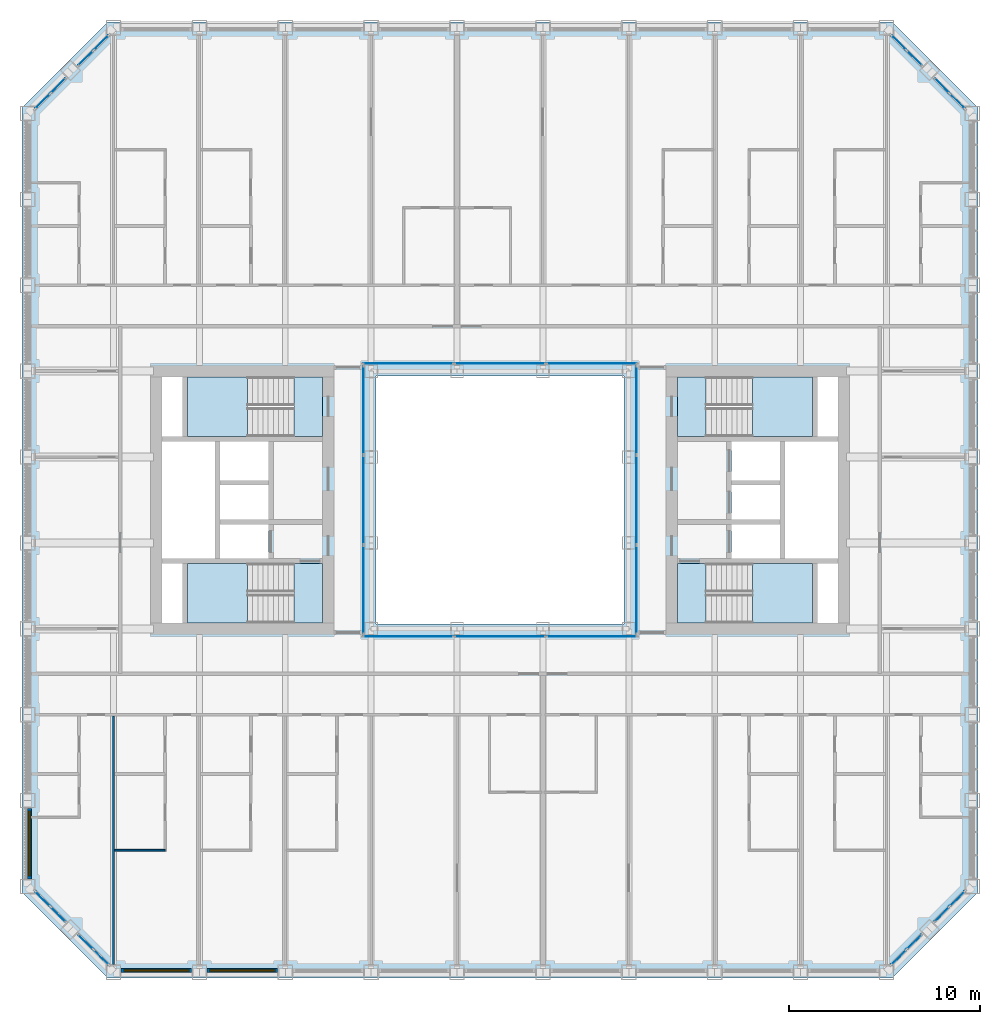
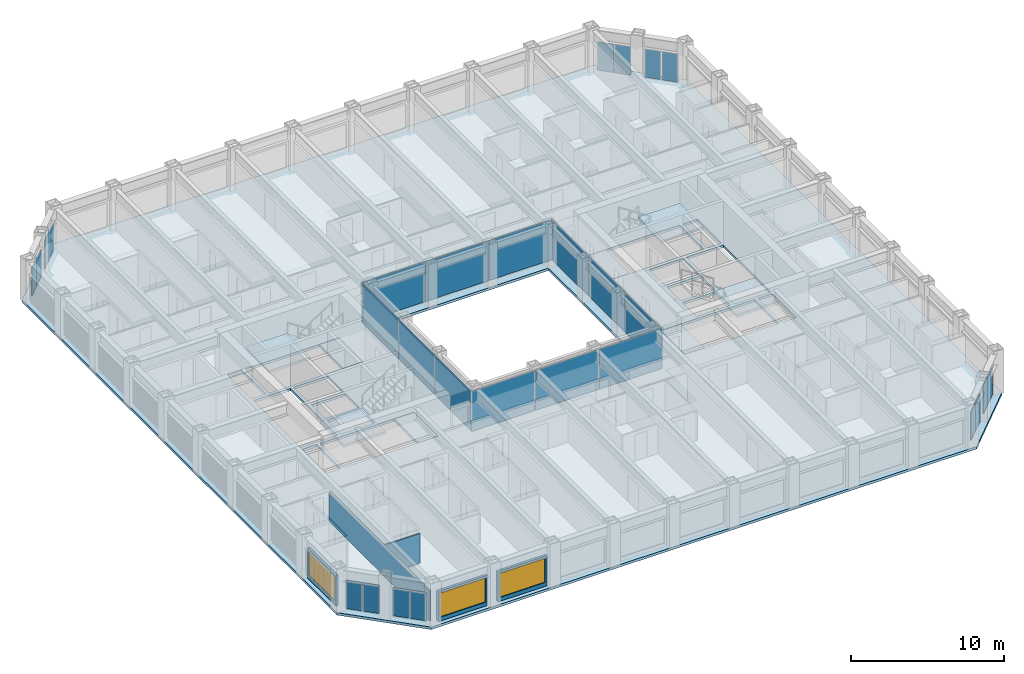
# One storey, part 8 of 21: 28 plates, 9 slabs, 5 walls, 3 windows, 3 openings, 16 elements without a shape of their own.
"""IFC4 building model written with IfcOpenShell, lengths in metres."""

from ifc_helpers import new_model, si_unit, direction, frame, frame_2d, origin, origin_2d, place, context, subcontext, project, spatial, polyline, rectangle, outline, extrude, material, layer, layer_set, type_object, element, fill, aggregate, save


model = new_model("IFC4")

# Units and contexts
model_context = context("Model", 3, precision=1e-05, world=origin(), true_north=direction((0.0, 1.0)))
body_context = subcontext(model_context, "Body", "Model", "MODEL_VIEW")
ifc_project = project(units=[si_unit("LENGTHUNIT", "METRE"), si_unit("AREAUNIT", "SQUARE_METRE"), si_unit("VOLUMEUNIT", "CUBIC_METRE"), si_unit("PLANEANGLEUNIT", "RADIAN"), si_unit("MASSUNIT", "GRAM", prefix="KILO")], contexts=[model_context])

# Site, building, storey
site_placement = place(None, origin())
site = spatial("IfcSite", under=ifc_project, at=site_placement, CompositionType="ELEMENT")
building_placement = place(site_placement, origin())
building = spatial("IfcBuilding", under=site, at=building_placement, Name="Msasa Ring Tower", CompositionType="ELEMENT")
storey_placement = place(building_placement, frame((0.0, 0.0, 86.0)))
storey = spatial("IfcBuildingStorey", under=building, at=storey_placement, Name="L22", CompositionType="ELEMENT", Elevation=86.0)

# Curtain wall, plates
ifc_material_1 = material(Name="Aluminium curtain wall with clear glass", Category="aluminium")
curtain_wall_type_1 = type_object("IfcCurtainWallType", Name="CW-C CHAMFER CORNER CURTAIN WALL", PredefinedType="NOTDEFINED", material=ifc_material_1)
curtain_wall_1_placement = place(storey_placement, origin())
curtain_wall_1 = element("IfcCurtainWall", 1, at=curtain_wall_1_placement, inside=storey, type_object=curtain_wall_type_1, Name="Chamfer corner curtain wall SE L22", PredefinedType="NOTDEFINED")
ifc_material_2 = material(Name="Clear laminated insulating glass unit", Category="glass")
ifc_layer_1 = layer(ifc_material_2, 0.031982421875)
ifc_layer_set_1 = layer_set([ifc_layer_1], Name="CW-C GLASS PANEL 32")
plate_type_1 = type_object("IfcPlateType", Name="CW-C GLASS PANEL 32", PredefinedType="CURTAIN_PANEL", material=ifc_layer_set_1)
plate_1_placement = place(storey_placement, frame((20.896484375, -23.962158203125, 0.06494140625), z_axis=(0.0, 0.0, 1.0), x_axis=(0.707106781187, 0.707106781187, 0.0)))
plate_1 = element("IfcPlate", 2, at=plate_1_placement, type_object=plate_type_1, Name="CW-C panel 1.1", PredefinedType="CURTAIN_PANEL", context=body_context, shape_type="SweptSolid", body=[
    extrude(rectangle(XDim=1.08837890625, YDim=0.031982421875, at=origin_2d()), origin(), (0.0, 0.0, 1.0), 2.2490234375),
])
plate_2_placement = place(storey_placement, frame((21.712158203125, -23.146484375, 0.06494140625), z_axis=(0.0, 0.0, 1.0), x_axis=(0.707106781187, 0.707106781187, 0.0)))
plate_2 = element("IfcPlate", 3, at=plate_2_placement, type_object=plate_type_1, Name="CW-C panel 2.1", PredefinedType="CURTAIN_PANEL", context=body_context, shape_type="SweptSolid", body=[
    extrude(rectangle(XDim=1.08837890625, YDim=0.031982421875, at=origin_2d()), origin(), (0.0, 0.0, 1.0), 2.2490234375),
])
aggregate(curtain_wall_1, [plate_1, plate_2])

curtain_wall_2_placement = place(storey_placement, origin())
curtain_wall_2 = element("IfcCurtainWall", 4, at=curtain_wall_2_placement, inside=storey, type_object=curtain_wall_type_1, Name="Chamfer corner curtain wall SE L22", PredefinedType="NOTDEFINED")
plate_3_placement = place(storey_placement, frame((23.146484375, -21.712158203125, 0.06494140625), z_axis=(0.0, 0.0, 1.0), x_axis=(0.707106781187, 0.707106781187, 0.0)))
plate_3 = element("IfcPlate", 5, at=plate_3_placement, type_object=plate_type_1, Name="CW-C panel 1.1", PredefinedType="CURTAIN_PANEL", context=body_context, shape_type="SweptSolid", body=[
    extrude(rectangle(XDim=1.08837890625, YDim=0.031982421875, at=origin_2d()), origin(), (0.0, 0.0, 1.0), 2.2490234375),
])
plate_4_placement = place(storey_placement, frame((23.962158203125, -20.896484375, 0.06494140625), z_axis=(0.0, 0.0, 1.0), x_axis=(0.707106781187, 0.707106781187, 0.0)))
plate_4 = element("IfcPlate", 6, at=plate_4_placement, type_object=plate_type_1, Name="CW-C panel 2.1", PredefinedType="CURTAIN_PANEL", context=body_context, shape_type="SweptSolid", body=[
    extrude(rectangle(XDim=1.08837890625, YDim=0.031982421875, at=origin_2d()), origin(), (0.0, 0.0, 1.0), 2.2490234375),
])
aggregate(curtain_wall_2, [plate_3, plate_4])

curtain_wall_3_placement = place(storey_placement, origin())
curtain_wall_3 = element("IfcCurtainWall", 7, at=curtain_wall_3_placement, inside=storey, type_object=curtain_wall_type_1, Name="Chamfer corner curtain wall NE L22", PredefinedType="NOTDEFINED")
plate_5_placement = place(storey_placement, frame((21.712158203125, 23.146484375, 0.06494140625), z_axis=(0.0, 0.0, 1.0), x_axis=(-0.707106781187, 0.707106781187, 0.0)))
plate_5 = element("IfcPlate", 8, at=plate_5_placement, type_object=plate_type_1, Name="CW-C panel 1.1", PredefinedType="CURTAIN_PANEL", context=body_context, shape_type="SweptSolid", body=[
    extrude(rectangle(XDim=1.08837890625, YDim=0.031982421875, at=origin_2d()), origin(), (0.0, 0.0, 1.0), 2.2490234375),
])
plate_6_placement = place(storey_placement, frame((20.896484375, 23.962158203125, 0.06494140625), z_axis=(0.0, 0.0, 1.0), x_axis=(-0.707106781187, 0.707106781187, 0.0)))
plate_6 = element("IfcPlate", 9, at=plate_6_placement, type_object=plate_type_1, Name="CW-C panel 2.1", PredefinedType="CURTAIN_PANEL", context=body_context, shape_type="SweptSolid", body=[
    extrude(rectangle(XDim=1.08837890625, YDim=0.031982421875, at=origin_2d()), origin(), (0.0, 0.0, 1.0), 2.2490234375),
])
aggregate(curtain_wall_3, [plate_5, plate_6])

curtain_wall_4_placement = place(storey_placement, origin())
curtain_wall_4 = element("IfcCurtainWall", 10, at=curtain_wall_4_placement, inside=storey, type_object=curtain_wall_type_1, Name="Chamfer corner curtain wall NE L22", PredefinedType="NOTDEFINED")
plate_7_placement = place(storey_placement, frame((23.962158203125, 20.896484375, 0.06494140625), z_axis=(0.0, 0.0, 1.0), x_axis=(-0.707106781187, 0.707106781187, 0.0)))
plate_7 = element("IfcPlate", 11, at=plate_7_placement, type_object=plate_type_1, Name="CW-C panel 1.1", PredefinedType="CURTAIN_PANEL", context=body_context, shape_type="SweptSolid", body=[
    extrude(rectangle(XDim=1.08837890625, YDim=0.031982421875, at=origin_2d()), origin(), (0.0, 0.0, 1.0), 2.2490234375),
])
plate_8_placement = place(storey_placement, frame((23.146484375, 21.712158203125, 0.06494140625), z_axis=(0.0, 0.0, 1.0), x_axis=(-0.707106781187, 0.707106781187, 0.0)))
plate_8 = element("IfcPlate", 12, at=plate_8_placement, type_object=plate_type_1, Name="CW-C panel 2.1", PredefinedType="CURTAIN_PANEL", context=body_context, shape_type="SweptSolid", body=[
    extrude(rectangle(XDim=1.08837890625, YDim=0.031982421875, at=origin_2d()), origin(), (0.0, 0.0, 1.0), 2.2490234375),
])
aggregate(curtain_wall_4, [plate_7, plate_8])

curtain_wall_5_placement = place(storey_placement, origin())
curtain_wall_5 = element("IfcCurtainWall", 13, at=curtain_wall_5_placement, inside=storey, type_object=curtain_wall_type_1, Name="Chamfer corner curtain wall NW L22", PredefinedType="NOTDEFINED")
plate_9_placement = place(storey_placement, frame((-23.146484375, 21.712158203125, 0.06494140625), z_axis=(0.0, 0.0, 1.0), x_axis=(-0.707106781187, -0.707106781187, 0.0)))
plate_9 = element("IfcPlate", 14, at=plate_9_placement, type_object=plate_type_1, Name="CW-C panel 1.1", PredefinedType="CURTAIN_PANEL", context=body_context, shape_type="SweptSolid", body=[
    extrude(rectangle(XDim=1.08837890625, YDim=0.031982421875, at=origin_2d()), origin(), (0.0, 0.0, 1.0), 2.2490234375),
])
plate_10_placement = place(storey_placement, frame((-23.962158203125, 20.896484375, 0.06494140625), z_axis=(0.0, 0.0, 1.0), x_axis=(-0.707106781187, -0.707106781187, 0.0)))
plate_10 = element("IfcPlate", 15, at=plate_10_placement, type_object=plate_type_1, Name="CW-C panel 2.1", PredefinedType="CURTAIN_PANEL", context=body_context, shape_type="SweptSolid", body=[
    extrude(rectangle(XDim=1.08837890625, YDim=0.031982421875, at=origin_2d()), origin(), (0.0, 0.0, 1.0), 2.2490234375),
])
aggregate(curtain_wall_5, [plate_9, plate_10])

curtain_wall_6_placement = place(storey_placement, origin())
curtain_wall_6 = element("IfcCurtainWall", 16, at=curtain_wall_6_placement, inside=storey, type_object=curtain_wall_type_1, Name="Chamfer corner curtain wall NW L22", PredefinedType="NOTDEFINED")
plate_11_placement = place(storey_placement, frame((-20.896484375, 23.962158203125, 0.06494140625), z_axis=(0.0, 0.0, 1.0), x_axis=(-0.707106781187, -0.707106781187, 0.0)))
plate_11 = element("IfcPlate", 17, at=plate_11_placement, type_object=plate_type_1, Name="CW-C panel 1.1", PredefinedType="CURTAIN_PANEL", context=body_context, shape_type="SweptSolid", body=[
    extrude(rectangle(XDim=1.08837890625, YDim=0.031982421875, at=origin_2d()), origin(), (0.0, 0.0, 1.0), 2.2490234375),
])
plate_12_placement = place(storey_placement, frame((-21.712158203125, 23.146484375, 0.06494140625), z_axis=(0.0, 0.0, 1.0), x_axis=(-0.707106781187, -0.707106781187, 0.0)))
plate_12 = element("IfcPlate", 18, at=plate_12_placement, type_object=plate_type_1, Name="CW-C panel 2.1", PredefinedType="CURTAIN_PANEL", context=body_context, shape_type="SweptSolid", body=[
    extrude(rectangle(XDim=1.08837890625, YDim=0.031982421875, at=origin_2d()), origin(), (0.0, 0.0, 1.0), 2.2490234375),
])
aggregate(curtain_wall_6, [plate_11, plate_12])

curtain_wall_7_placement = place(storey_placement, origin())
curtain_wall_7 = element("IfcCurtainWall", 19, at=curtain_wall_7_placement, inside=storey, type_object=curtain_wall_type_1, Name="Chamfer corner curtain wall SW L22", PredefinedType="NOTDEFINED")
plate_13_placement = place(storey_placement, frame((-23.962158203125, -20.896484375, 0.06494140625), z_axis=(0.0, 0.0, 1.0), x_axis=(0.707106781187, -0.707106781187, 0.0)))
plate_13 = element("IfcPlate", 20, at=plate_13_placement, type_object=plate_type_1, Name="CW-C panel 1.1", PredefinedType="CURTAIN_PANEL", context=body_context, shape_type="SweptSolid", body=[
    extrude(rectangle(XDim=1.08837890625, YDim=0.031982421875, at=origin_2d()), origin(), (0.0, 0.0, 1.0), 2.2490234375),
])
plate_14_placement = place(storey_placement, frame((-23.146484375, -21.712158203125, 0.06494140625), z_axis=(0.0, 0.0, 1.0), x_axis=(0.707106781187, -0.707106781187, 0.0)))
plate_14 = element("IfcPlate", 21, at=plate_14_placement, type_object=plate_type_1, Name="CW-C panel 2.1", PredefinedType="CURTAIN_PANEL", context=body_context, shape_type="SweptSolid", body=[
    extrude(rectangle(XDim=1.08837890625, YDim=0.031982421875, at=origin_2d()), origin(), (0.0, 0.0, 1.0), 2.2490234375),
])
aggregate(curtain_wall_7, [plate_13, plate_14])

curtain_wall_8_placement = place(storey_placement, origin())
curtain_wall_8 = element("IfcCurtainWall", 22, at=curtain_wall_8_placement, inside=storey, type_object=curtain_wall_type_1, Name="Chamfer corner curtain wall SW L22", PredefinedType="NOTDEFINED")
plate_15_placement = place(storey_placement, frame((-21.712158203125, -23.146484375, 0.06494140625), z_axis=(0.0, 0.0, 1.0), x_axis=(0.707106781187, -0.707106781187, 0.0)))
plate_15 = element("IfcPlate", 23, at=plate_15_placement, type_object=plate_type_1, Name="CW-C panel 1.1", PredefinedType="CURTAIN_PANEL", context=body_context, shape_type="SweptSolid", body=[
    extrude(rectangle(XDim=1.08837890625, YDim=0.031982421875, at=origin_2d()), origin(), (0.0, 0.0, 1.0), 2.2490234375),
])
plate_16_placement = place(storey_placement, frame((-20.896484375, -23.962158203125, 0.06494140625), z_axis=(0.0, 0.0, 1.0), x_axis=(0.707106781187, -0.707106781187, 0.0)))
plate_16 = element("IfcPlate", 24, at=plate_16_placement, type_object=plate_type_1, Name="CW-C panel 2.1", PredefinedType="CURTAIN_PANEL", context=body_context, shape_type="SweptSolid", body=[
    extrude(rectangle(XDim=1.08837890625, YDim=0.031982421875, at=origin_2d()), origin(), (0.0, 0.0, 1.0), 2.2490234375),
])
aggregate(curtain_wall_8, [plate_15, plate_16])

ifc_material_3 = material(Name="Aluminium curtain wall with clear glass", Category="aluminium")
curtain_wall_type_2 = type_object("IfcCurtainWallType", Name="CW-W LIGHT WELL CURTAIN WALL", PredefinedType="NOTDEFINED", material=ifc_material_3)
curtain_wall_9_placement = place(storey_placement, origin())
curtain_wall_9 = element("IfcCurtainWall", 25, at=curtain_wall_9_placement, inside=storey, type_object=curtain_wall_type_2, Name="Light well curtain wall N L22", PredefinedType="NOTDEFINED")
ifc_material_4 = material(Name="Clear laminated insulating glass unit", Category="glass")
ifc_layer_2 = layer(ifc_material_4, 0.028076171875)
ifc_layer_set_2 = layer_set([ifc_layer_2], Name="CW-W GLASS PANEL 28")
plate_type_2 = type_object("IfcPlateType", Name="CW-W GLASS PANEL 28", PredefinedType="CURTAIN_PANEL", material=ifc_layer_set_2)
plate_17_placement = place(storey_placement, frame((-4.804931640625, 7.14990234375, 0.06005859375), z_axis=(0.0, 0.0, 1.0), x_axis=(1.0, 0.0, 0.0)))
plate_17 = element("IfcPlate", 26, at=plate_17_placement, type_object=plate_type_2, Name="CW-W panel 1.1", PredefinedType="CURTAIN_PANEL", context=body_context, shape_type="SweptSolid", body=[
    extrude(rectangle(XDim=4.72998046875, YDim=0.028076171875, at=origin_2d()), origin(), (0.0, 0.0, 1.0), 3.179931640625),
])
plate_18_placement = place(storey_placement, frame((0.0, 7.14990234375, 0.06005859375), z_axis=(0.0, 0.0, 1.0), x_axis=(1.0, 0.0, 0.0)))
plate_18 = element("IfcPlate", 27, at=plate_18_placement, type_object=plate_type_2, Name="CW-W panel 2.1", PredefinedType="CURTAIN_PANEL", context=body_context, shape_type="SweptSolid", body=[
    extrude(rectangle(XDim=4.760009765625, YDim=0.028076171875, at=origin_2d()), origin(), (0.0, 0.0, 1.0), 3.179931640625),
])
plate_19_placement = place(storey_placement, frame((4.804931640625, 7.14990234375, 0.06005859375), z_axis=(0.0, 0.0, 1.0), x_axis=(1.0, 0.0, 0.0)))
plate_19 = element("IfcPlate", 28, at=plate_19_placement, type_object=plate_type_2, Name="CW-W panel 3.1", PredefinedType="CURTAIN_PANEL", context=body_context, shape_type="SweptSolid", body=[
    extrude(rectangle(XDim=4.72998046875, YDim=0.028076171875, at=origin_2d()), origin(), (0.0, 0.0, 1.0), 3.179931640625),
])
aggregate(curtain_wall_9, [plate_17, plate_18, plate_19])

curtain_wall_10_placement = place(storey_placement, origin())
curtain_wall_10 = element("IfcCurtainWall", 29, at=curtain_wall_10_placement, inside=storey, type_object=curtain_wall_type_2, Name="Light well curtain wall S L22", PredefinedType="NOTDEFINED")
plate_20_placement = place(storey_placement, frame((-4.804931640625, -7.14990234375, 0.06005859375), z_axis=(0.0, 0.0, 1.0), x_axis=(1.0, 0.0, 0.0)))
plate_20 = element("IfcPlate", 30, at=plate_20_placement, type_object=plate_type_2, Name="CW-W panel 1.1", PredefinedType="CURTAIN_PANEL", context=body_context, shape_type="SweptSolid", body=[
    extrude(rectangle(XDim=4.72998046875, YDim=0.028076171875, at=origin_2d()), origin(), (0.0, 0.0, 1.0), 3.179931640625),
])
plate_21_placement = place(storey_placement, frame((0.0, -7.14990234375, 0.06005859375), z_axis=(0.0, 0.0, 1.0), x_axis=(1.0, 0.0, 0.0)))
plate_21 = element("IfcPlate", 31, at=plate_21_placement, type_object=plate_type_2, Name="CW-W panel 2.1", PredefinedType="CURTAIN_PANEL", context=body_context, shape_type="SweptSolid", body=[
    extrude(rectangle(XDim=4.760009765625, YDim=0.028076171875, at=origin_2d()), origin(), (0.0, 0.0, 1.0), 3.179931640625),
])
plate_22_placement = place(storey_placement, frame((4.804931640625, -7.14990234375, 0.06005859375), z_axis=(0.0, 0.0, 1.0), x_axis=(1.0, 0.0, 0.0)))
plate_22 = element("IfcPlate", 32, at=plate_22_placement, type_object=plate_type_2, Name="CW-W panel 3.1", PredefinedType="CURTAIN_PANEL", context=body_context, shape_type="SweptSolid", body=[
    extrude(rectangle(XDim=4.72998046875, YDim=0.028076171875, at=origin_2d()), origin(), (0.0, 0.0, 1.0), 3.179931640625),
])
aggregate(curtain_wall_10, [plate_20, plate_21, plate_22])

curtain_wall_11_placement = place(storey_placement, origin())
curtain_wall_11 = element("IfcCurtainWall", 33, at=curtain_wall_11_placement, inside=storey, type_object=curtain_wall_type_2, Name="Light well curtain wall E L22", PredefinedType="NOTDEFINED")
plate_23_placement = place(storey_placement, frame((7.14990234375, -4.6982421875, 0.06005859375), z_axis=(0.0, 0.0, 1.0), x_axis=(0.0, 1.0, 0.0)))
plate_23 = element("IfcPlate", 34, at=plate_23_placement, type_object=plate_type_2, Name="CW-W panel 1.1", PredefinedType="CURTAIN_PANEL", context=body_context, shape_type="SweptSolid", body=[
    extrude(rectangle(XDim=4.623291015625, YDim=0.028076171875, at=origin_2d()), origin(), (0.0, 0.0, 1.0), 3.179931640625),
])
plate_24_placement = place(storey_placement, frame((7.14990234375, 0.0, 0.06005859375), z_axis=(0.0, 0.0, 1.0), x_axis=(0.0, 1.0, 0.0)))
plate_24 = element("IfcPlate", 35, at=plate_24_placement, type_object=plate_type_2, Name="CW-W panel 2.1", PredefinedType="CURTAIN_PANEL", context=body_context, shape_type="SweptSolid", body=[
    extrude(rectangle(XDim=4.6533203125, YDim=0.028076171875, at=origin_2d()), origin(), (0.0, 0.0, 1.0), 3.179931640625),
])
plate_25_placement = place(storey_placement, frame((7.14990234375, 4.6982421875, 0.06005859375), z_axis=(0.0, 0.0, 1.0), x_axis=(0.0, 1.0, 0.0)))
plate_25 = element("IfcPlate", 36, at=plate_25_placement, type_object=plate_type_2, Name="CW-W panel 3.1", PredefinedType="CURTAIN_PANEL", context=body_context, shape_type="SweptSolid", body=[
    extrude(rectangle(XDim=4.623291015625, YDim=0.028076171875, at=origin_2d()), origin(), (0.0, 0.0, 1.0), 3.179931640625),
])
aggregate(curtain_wall_11, [plate_23, plate_24, plate_25])

curtain_wall_12_placement = place(storey_placement, origin())
curtain_wall_12 = element("IfcCurtainWall", 37, at=curtain_wall_12_placement, inside=storey, type_object=curtain_wall_type_2, Name="Light well curtain wall W L22", PredefinedType="NOTDEFINED")
plate_26_placement = place(storey_placement, frame((-7.14990234375, -4.6982421875, 0.06005859375), z_axis=(0.0, 0.0, 1.0), x_axis=(0.0, 1.0, 0.0)))
plate_26 = element("IfcPlate", 38, at=plate_26_placement, type_object=plate_type_2, Name="CW-W panel 1.1", PredefinedType="CURTAIN_PANEL", context=body_context, shape_type="SweptSolid", body=[
    extrude(rectangle(XDim=4.623291015625, YDim=0.028076171875, at=origin_2d()), origin(), (0.0, 0.0, 1.0), 3.179931640625),
])
plate_27_placement = place(storey_placement, frame((-7.14990234375, 0.0, 0.06005859375), z_axis=(0.0, 0.0, 1.0), x_axis=(0.0, 1.0, 0.0)))
plate_27 = element("IfcPlate", 39, at=plate_27_placement, type_object=plate_type_2, Name="CW-W panel 2.1", PredefinedType="CURTAIN_PANEL", context=body_context, shape_type="SweptSolid", body=[
    extrude(rectangle(XDim=4.6533203125, YDim=0.028076171875, at=origin_2d()), origin(), (0.0, 0.0, 1.0), 3.179931640625),
])
plate_28_placement = place(storey_placement, frame((-7.14990234375, 4.6982421875, 0.06005859375), z_axis=(0.0, 0.0, 1.0), x_axis=(0.0, 1.0, 0.0)))
plate_28 = element("IfcPlate", 40, at=plate_28_placement, type_object=plate_type_2, Name="CW-W panel 3.1", PredefinedType="CURTAIN_PANEL", context=body_context, shape_type="SweptSolid", body=[
    extrude(rectangle(XDim=4.623291015625, YDim=0.028076171875, at=origin_2d()), origin(), (0.0, 0.0, 1.0), 3.179931640625),
])
aggregate(curtain_wall_12, [plate_26, plate_27, plate_28])

# Stair, slabs
ifc_material_5 = material(Name="Concrete C40/50", Category="concrete")
stair_type = type_object("IfcStairType", Name="STC CORE STAIR 20 RISERS 175", PredefinedType="HALF_TURN_STAIR", material=ifc_material_5)
stair_1_placement = place(storey_placement, origin())
stair_1 = element("IfcStair", 41, at=stair_1_placement, inside=storey, type_object=stair_type, Name="Core stair SEA L22", PredefinedType="HALF_TURN_STAIR")
ifc_material_6 = material(Name="Concrete C40/50", Category="concrete")
ifc_layer_3 = layer(ifc_material_6, 0.199951171875)
ifc_layer_set_3 = layer_set([ifc_layer_3], Name="LD1 CORE STAIR LANDING 200")
slab_type_1 = type_object("IfcSlabType", Name="LD1 CORE STAIR LANDING 200", PredefinedType="LANDING", material=ifc_layer_set_3)
slab_1_placement = place(storey_placement, frame((0.0, 0.0, -0.199951171875)))
slab_1 = element("IfcSlab", 42, at=slab_1_placement, type_object=slab_type_1, Name="SEA landing 1", PredefinedType="LANDING", context=body_context, shape_type="SweptSolid", body=[
    extrude(outline(polyline([(9.300048828125, -6.449951171875), (10.800048828125, -6.449951171875), (10.800048828125, -3.324951171875), (9.300048828125, -3.324951171875), (9.300048828125, -6.449951171875)])), origin(), (0.0, 0.0, 1.0), 0.199951171875),
])
slab_2_placement = place(storey_placement, frame((0.0, 0.0, 1.550048828125)))
slab_2 = element("IfcSlab", 43, at=slab_2_placement, type_object=slab_type_1, Name="SEA landing 2", PredefinedType="LANDING", context=body_context, shape_type="SweptSolid", body=[
    extrude(outline(polyline([(13.22998046875, -6.449951171875), (16.375, -6.449951171875), (16.375, -3.324951171875), (13.22998046875, -3.324951171875), (13.22998046875, -6.449951171875)])), origin(), (0.0, 0.0, 1.0), 0.199951171875),
])
aggregate(stair_1, [slab_1, slab_2])

stair_2_placement = place(storey_placement, origin())
stair_2 = element("IfcStair", 44, at=stair_2_placement, inside=storey, type_object=stair_type, Name="Core stair SEB L22", PredefinedType="HALF_TURN_STAIR")
slab_3_placement = place(storey_placement, frame((0.0, 0.0, -0.199951171875)))
slab_3 = element("IfcSlab", 45, at=slab_3_placement, type_object=slab_type_1, Name="SEB landing 1", PredefinedType="LANDING", context=body_context, shape_type="SweptSolid", body=[
    extrude(outline(polyline([(9.300048828125, 3.324951171875), (10.800048828125, 3.324951171875), (10.800048828125, 6.449951171875), (9.300048828125, 6.449951171875), (9.300048828125, 3.324951171875)])), origin(), (0.0, 0.0, 1.0), 0.199951171875),
])
slab_4_placement = place(storey_placement, frame((0.0, 0.0, 1.550048828125)))
slab_4 = element("IfcSlab", 46, at=slab_4_placement, type_object=slab_type_1, Name="SEB landing 2", PredefinedType="LANDING", context=body_context, shape_type="SweptSolid", body=[
    extrude(outline(polyline([(13.22998046875, 3.324951171875), (16.375, 3.324951171875), (16.375, 6.449951171875), (13.22998046875, 6.449951171875), (13.22998046875, 3.324951171875)])), origin(), (0.0, 0.0, 1.0), 0.199951171875),
])
aggregate(stair_2, [slab_3, slab_4])

stair_3_placement = place(storey_placement, origin())
stair_3 = element("IfcStair", 47, at=stair_3_placement, inside=storey, type_object=stair_type, Name="Core stair SWA L22", PredefinedType="HALF_TURN_STAIR")
slab_5_placement = place(storey_placement, frame((0.0, 0.0, -0.199951171875)))
slab_5 = element("IfcSlab", 48, at=slab_5_placement, type_object=slab_type_1, Name="SWA landing 1", PredefinedType="LANDING", context=body_context, shape_type="SweptSolid", body=[
    extrude(outline(polyline([(-10.800048828125, -6.449951171875), (-9.300048828125, -6.449951171875), (-9.300048828125, -3.324951171875), (-10.800048828125, -3.324951171875), (-10.800048828125, -6.449951171875)])), origin(), (0.0, 0.0, 1.0), 0.199951171875),
])
slab_6_placement = place(storey_placement, frame((0.0, 0.0, 1.550048828125)))
slab_6 = element("IfcSlab", 49, at=slab_6_placement, type_object=slab_type_1, Name="SWA landing 2", PredefinedType="LANDING", context=body_context, shape_type="SweptSolid", body=[
    extrude(outline(polyline([(-16.375, -6.449951171875), (-13.22998046875, -6.449951171875), (-13.22998046875, -3.324951171875), (-16.375, -3.324951171875), (-16.375, -6.449951171875)])), origin(), (0.0, 0.0, 1.0), 0.199951171875),
])
aggregate(stair_3, [slab_5, slab_6])

stair_4_placement = place(storey_placement, origin())
stair_4 = element("IfcStair", 50, at=stair_4_placement, inside=storey, type_object=stair_type, Name="Core stair SWB L22", PredefinedType="HALF_TURN_STAIR")
slab_7_placement = place(storey_placement, frame((0.0, 0.0, -0.199951171875)))
slab_7 = element("IfcSlab", 51, at=slab_7_placement, type_object=slab_type_1, Name="SWB landing 1", PredefinedType="LANDING", context=body_context, shape_type="SweptSolid", body=[
    extrude(outline(polyline([(-10.800048828125, 3.324951171875), (-9.300048828125, 3.324951171875), (-9.300048828125, 6.449951171875), (-10.800048828125, 6.449951171875), (-10.800048828125, 3.324951171875)])), origin(), (0.0, 0.0, 1.0), 0.199951171875),
])
slab_8_placement = place(storey_placement, frame((0.0, 0.0, 1.550048828125)))
slab_8 = element("IfcSlab", 52, at=slab_8_placement, type_object=slab_type_1, Name="SWB landing 2", PredefinedType="LANDING", context=body_context, shape_type="SweptSolid", body=[
    extrude(outline(polyline([(-16.375, 3.324951171875), (-13.22998046875, 3.324951171875), (-13.22998046875, 6.449951171875), (-16.375, 6.449951171875), (-16.375, 3.324951171875)])), origin(), (0.0, 0.0, 1.0), 0.199951171875),
])
aggregate(stair_4, [slab_7, slab_8])

# Slab
ifc_material_7 = material(Name="Concrete C40/50", Category="concrete")
ifc_layer_4 = layer(ifc_material_7, 0.199951171875)
ifc_layer_set_4 = layer_set([ifc_layer_4], Name="S3 RESIDENCE FLOOR 200")
slab_type_2 = type_object("IfcSlabType", Name="S3 RESIDENCE FLOOR 200", PredefinedType="FLOOR", material=ifc_layer_set_4)
slab_9_placement = place(storey_placement, frame((0.0, 0.0, -0.199951171875)))
element("IfcSlab", 53, at=slab_9_placement, inside=storey, type_object=slab_type_2, Name="Floor slab L22", PredefinedType="FLOOR", context=body_context, shape_type="SweptSolid", body=[
    extrude(outline(polyline([(-20.550048828125, -25.050048828125), (20.550048828125, -25.050048828125), (25.050048828125, -20.550048828125), (25.050048828125, 20.550048828125), (20.550048828125, 25.050048828125), (-20.550048828125, 25.050048828125), (-25.050048828125, 20.550048828125), (-25.050048828125, -20.550048828125), (-20.550048828125, -25.050048828125)]), holes=[polyline([(-6.5, -6.5), (6.5, -6.5), (6.5, 6.5), (-6.5, 6.5), (-6.5, -6.5)]), polyline([(9.300048828125, -6.449951171875), (16.375, -6.449951171875), (16.375, -3.324951171875), (9.300048828125, -3.324951171875), (9.300048828125, -6.449951171875)]), polyline([(9.300048828125, 3.324951171875), (16.375, 3.324951171875), (16.375, 6.449951171875), (9.300048828125, 6.449951171875), (9.300048828125, 3.324951171875)]), polyline([(12.125, -3.074951171875), (14.675048828125, -3.074951171875), (14.675048828125, -1.27490234375), (12.125, -1.27490234375), (12.125, -3.074951171875)]), polyline([(12.125, -1.02490234375), (14.675048828125, -1.02490234375), (14.675048828125, 0.77490234375), (12.125, 0.77490234375), (12.125, -1.02490234375)]), polyline([(12.125, 1.02490234375), (14.675048828125, 1.02490234375), (14.675048828125, 3.074951171875), (12.125, 3.074951171875), (12.125, 1.02490234375)]), polyline([(16.625, -6.449951171875), (17.699951171875, -6.449951171875), (17.699951171875, -3.324951171875), (16.625, -3.324951171875), (16.625, -6.449951171875)]), polyline([(16.625, 3.324951171875), (17.699951171875, 3.324951171875), (17.699951171875, 6.449951171875), (16.625, 6.449951171875), (16.625, 3.324951171875)]), polyline([(14.925048828125, -3.074951171875), (17.699951171875, -3.074951171875), (17.699951171875, 3.074951171875), (14.925048828125, 3.074951171875), (14.925048828125, -3.074951171875)]), polyline([(-16.375, -6.449951171875), (-9.300048828125, -6.449951171875), (-9.300048828125, -3.324951171875), (-16.375, -3.324951171875), (-16.375, -6.449951171875)]), polyline([(-16.375, 3.324951171875), (-9.300048828125, 3.324951171875), (-9.300048828125, 6.449951171875), (-16.375, 6.449951171875), (-16.375, 3.324951171875)]), polyline([(-14.675048828125, -3.074951171875), (-12.125, -3.074951171875), (-12.125, -1.27490234375), (-14.675048828125, -1.27490234375), (-14.675048828125, -3.074951171875)]), polyline([(-14.675048828125, -1.02490234375), (-12.125, -1.02490234375), (-12.125, 0.77490234375), (-14.675048828125, 0.77490234375), (-14.675048828125, -1.02490234375)]), polyline([(-14.675048828125, 1.02490234375), (-12.125, 1.02490234375), (-12.125, 3.074951171875), (-14.675048828125, 3.074951171875), (-14.675048828125, 1.02490234375)]), polyline([(-17.699951171875, -6.449951171875), (-16.625, -6.449951171875), (-16.625, -3.324951171875), (-17.699951171875, -3.324951171875), (-17.699951171875, -6.449951171875)]), polyline([(-17.699951171875, 3.324951171875), (-16.625, 3.324951171875), (-16.625, 6.449951171875), (-17.699951171875, 6.449951171875), (-17.699951171875, 3.324951171875)]), polyline([(-17.699951171875, -3.074951171875), (-14.925048828125, -3.074951171875), (-14.925048828125, 3.074951171875), (-17.699951171875, 3.074951171875), (-17.699951171875, -3.074951171875)])]), origin(), (0.0, 0.0, 1.0), 0.199951171875),
])

# Wall, opening, window
ifc_material_8 = material(Name="Terracotta rainscreen on blockwork", Category="masonry")
ifc_layer_5 = layer(ifc_material_8, 0.199951171875)
ifc_layer_set_5 = layer_set([ifc_layer_5], Name="FW1 TERRACOTTA-LINED INFILL BAY WALL 200")
wall_type_1 = type_object("IfcWallType", Name="FW1 TERRACOTTA-LINED INFILL BAY WALL 200", PredefinedType="SOLIDWALL", material=ifc_layer_set_5)
wall_1_placement = place(storey_placement, frame((-19.844970703125, -24.64990234375, 0.0), z_axis=(0.0, 0.0, 1.0), x_axis=(1.0, 0.0, 0.0)))
wall_1 = element("IfcWall", 54, at=wall_1_placement, inside=storey, type_object=wall_type_1, Name="Infill bay wall S L22 00", PredefinedType="SOLIDWALL", context=body_context, shape_type="SweptSolid", body=[
    extrude(rectangle(XDim=3.68994140625, YDim=0.199951171875, at=frame_2d((1.844970703125, 0.0))), origin(), (0.0, 0.0, 1.0), 2.37890625),
])
opening_1_placement = place(wall_1_placement, frame((0.14501953125, 0.0, 0.300048828125)))
opening_1 = element("IfcOpeningElement", 55, at=opening_1_placement, cuts=wall_1, Name="Opening WN1", PredefinedType="OPENING", context=body_context, shape_type="SweptSolid", body=[
    extrude(rectangle(XDim=3.39990234375, YDim=1.928955078125, at=frame_2d((1.699951171875, 0.96435546875))), frame((0.0, 0.10986328125, 0.0), z_axis=(0.0, -1.0, 0.0), x_axis=(1.0, 0.0, 0.0)), (0.0, 0.0, 1.0), 0.219970703125),
])
ifc_material_9 = material(Name="Aluminium frame with clear glass", Category="aluminium")
window_type = type_object("IfcWindowType", Name="WN1 RESIDENCE WINDOW 3400x1929", PartitioningType="SINGLE_PANEL", PredefinedType="WINDOW", material=ifc_material_9)
window_1_placement = place(opening_1_placement, origin())
window_1 = element("IfcWindow", 56, at=window_1_placement, inside=storey, type_object=window_type, Name="Window S L22 00", OverallHeight=1.928955078125, OverallWidth=3.39990234375, PartitioningType="SINGLE_PANEL", PredefinedType="WINDOW", context=body_context, shape_type="SweptSolid", body=[
    extrude(rectangle(XDim=3.39990234375, YDim=1.928955078125, at=frame_2d((1.699951171875, 0.96435546875))), frame((0.0, 0.030029296875, 0.0), z_axis=(0.0, -1.0, 0.0), x_axis=(1.0, 0.0, 0.0)), (0.0, 0.0, 1.0), 0.06005859375),
])
fill(opening_1, window_1)

wall_2_placement = place(storey_placement, frame((-15.344970703125, -24.64990234375, 0.0), z_axis=(0.0, 0.0, 1.0), x_axis=(1.0, 0.0, 0.0)))
wall_2 = element("IfcWall", 57, at=wall_2_placement, inside=storey, type_object=wall_type_1, Name="Infill bay wall S L22 01", PredefinedType="SOLIDWALL", context=body_context, shape_type="SweptSolid", body=[
    extrude(rectangle(XDim=3.68994140625, YDim=0.199951171875, at=frame_2d((1.844970703125, 0.0))), origin(), (0.0, 0.0, 1.0), 2.37890625),
])
opening_2_placement = place(wall_2_placement, frame((0.14501953125, 0.0, 0.300048828125)))
opening_2 = element("IfcOpeningElement", 58, at=opening_2_placement, cuts=wall_2, Name="Opening WN1", PredefinedType="OPENING", context=body_context, shape_type="SweptSolid", body=[
    extrude(rectangle(XDim=3.39990234375, YDim=1.928955078125, at=frame_2d((1.699951171875, 0.96435546875))), frame((0.0, 0.10986328125, 0.0), z_axis=(0.0, -1.0, 0.0), x_axis=(1.0, 0.0, 0.0)), (0.0, 0.0, 1.0), 0.219970703125),
])
window_2_placement = place(opening_2_placement, origin())
window_2 = element("IfcWindow", 59, at=window_2_placement, inside=storey, type_object=window_type, Name="Window S L22 01", OverallHeight=1.928955078125, OverallWidth=3.39990234375, PartitioningType="SINGLE_PANEL", PredefinedType="WINDOW", context=body_context, shape_type="SweptSolid", body=[
    extrude(rectangle(XDim=3.39990234375, YDim=1.928955078125, at=frame_2d((1.699951171875, 0.96435546875))), frame((0.0, 0.030029296875, 0.0), z_axis=(0.0, -1.0, 0.0), x_axis=(1.0, 0.0, 0.0)), (0.0, 0.0, 1.0), 0.06005859375),
])
fill(opening_2, window_2)

wall_3_placement = place(storey_placement, frame((-24.64990234375, -19.844970703125, 0.0), z_axis=(0.0, 0.0, 1.0), x_axis=(0.0, 1.0, 0.0)))
wall_3 = element("IfcWall", 60, at=wall_3_placement, inside=storey, type_object=wall_type_1, Name="Infill bay wall W L22 33", PredefinedType="SOLIDWALL", context=body_context, shape_type="SweptSolid", body=[
    extrude(rectangle(XDim=3.68994140625, YDim=0.199951171875, at=frame_2d((1.844970703125, 0.0))), origin(), (0.0, 0.0, 1.0), 2.37890625),
])
opening_3_placement = place(wall_3_placement, frame((0.14501953125, 0.0, 0.300048828125)))
opening_3 = element("IfcOpeningElement", 61, at=opening_3_placement, cuts=wall_3, Name="Opening WN1", PredefinedType="OPENING", context=body_context, shape_type="SweptSolid", body=[
    extrude(rectangle(XDim=3.39990234375, YDim=1.928955078125, at=frame_2d((1.699951171875, 0.96435546875))), frame((0.0, 0.10986328125, 0.0), z_axis=(0.0, -1.0, 0.0), x_axis=(1.0, 0.0, 0.0)), (0.0, 0.0, 1.0), 0.219970703125),
])
window_3_placement = place(opening_3_placement, origin())
window_3 = element("IfcWindow", 62, at=window_3_placement, inside=storey, type_object=window_type, Name="Window W L22 33", OverallHeight=1.928955078125, OverallWidth=3.39990234375, PartitioningType="SINGLE_PANEL", PredefinedType="WINDOW", context=body_context, shape_type="SweptSolid", body=[
    extrude(rectangle(XDim=3.39990234375, YDim=1.928955078125, at=frame_2d((1.699951171875, 0.96435546875))), frame((0.0, 0.030029296875, 0.0), z_axis=(0.0, -1.0, 0.0), x_axis=(1.0, 0.0, 0.0)), (0.0, 0.0, 1.0), 0.06005859375),
])
fill(opening_3, window_3)

# Walls
ifc_material_10 = material(Name="Gypsum board on steel studs", Category="steel")
ifc_layer_6 = layer(ifc_material_10, 0.10009765625)
ifc_layer_set_6 = layer_set([ifc_layer_6], Name="PT2 STUD PARTITION 100")
wall_type_2 = type_object("IfcWallType", Name="PT2 STUD PARTITION 100", PredefinedType="PARTITIONING", material=ifc_layer_set_6)
wall_4_placement = place(storey_placement, frame((-20.18994140625, -18.350341796875, 0.0), z_axis=(0.0, 0.0, 1.0), x_axis=(1.0, 0.0, 0.0)))
element("IfcWall", 63, at=wall_4_placement, inside=storey, type_object=wall_type_2, Name="Partition L22-VSWWY3", PredefinedType="PARTITIONING", context=body_context, shape_type="SweptSolid", body=[
    extrude(rectangle(XDim=2.639892578125, YDim=0.10009765625, at=frame_2d((1.31982421875, 0.0))), origin(), (0.0, 0.0, 1.0), 2.373291015625),
])
ifc_material_11 = material(Name="Two layers of acoustic board each face on steel studs, mineral wool", Category="steel")
ifc_layer_7 = layer(ifc_material_11, 0.125)
ifc_layer_set_7 = layer_set([ifc_layer_7], Name="PT6 ACOUSTIC DOUBLE-BOARD PARTITION 125")
wall_type_3 = type_object("IfcWallType", Name="PT6 ACOUSTIC DOUBLE-BOARD PARTITION 125", PredefinedType="PARTITIONING", material=ifc_layer_set_7)
wall_5_placement = place(storey_placement, frame((-20.25, -24.35009765625, 0.0), z_axis=(0.0, 0.0, 1.0), x_axis=(0.0, 1.0, 0.0)))
element("IfcWall", 64, at=wall_5_placement, inside=storey, type_object=wall_type_3, Name="Partition L22-VSWP4", PredefinedType="PARTITIONING", context=body_context, shape_type="SweptSolid", body=[
    extrude(rectangle(XDim=13.03759765625, YDim=0.125, at=frame_2d((6.518798828125, 0.0))), origin(), (0.0, 0.0, 1.0), 2.373291015625),
])

save(model, "model.ifc")
